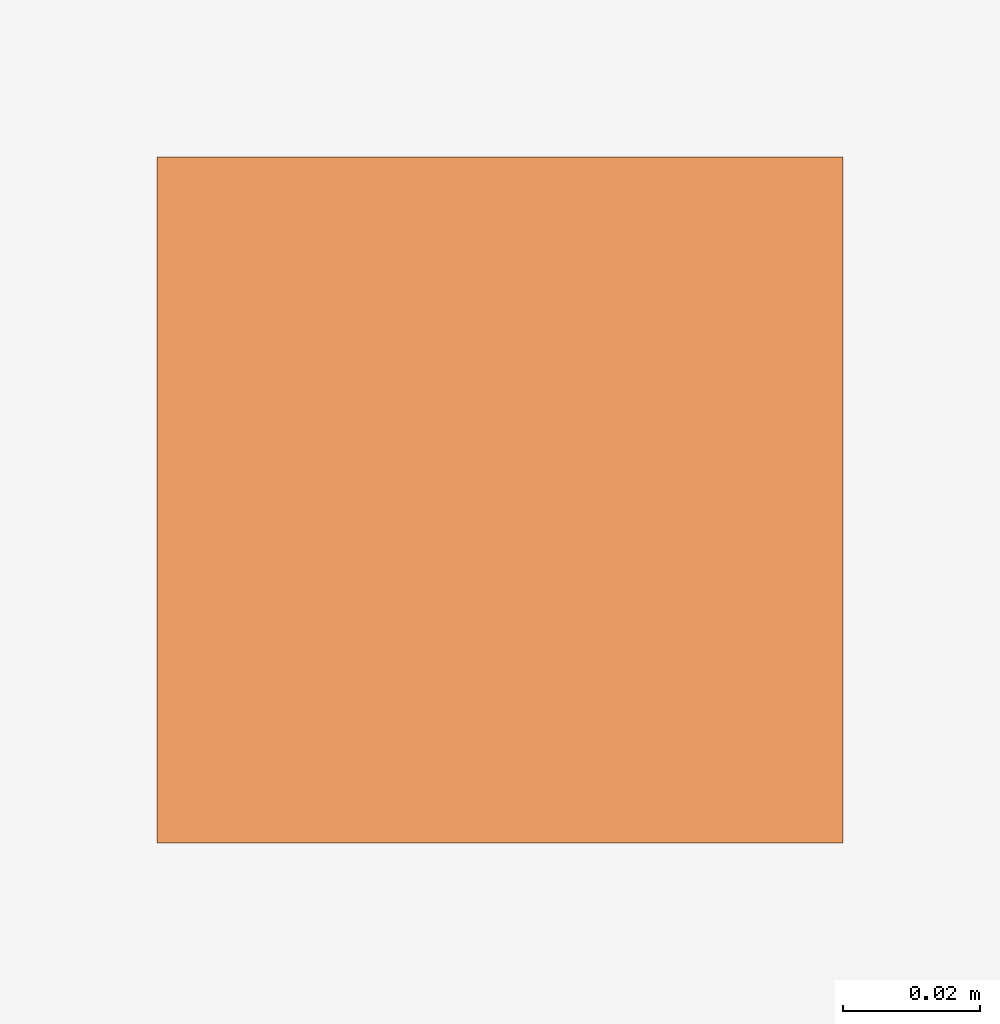
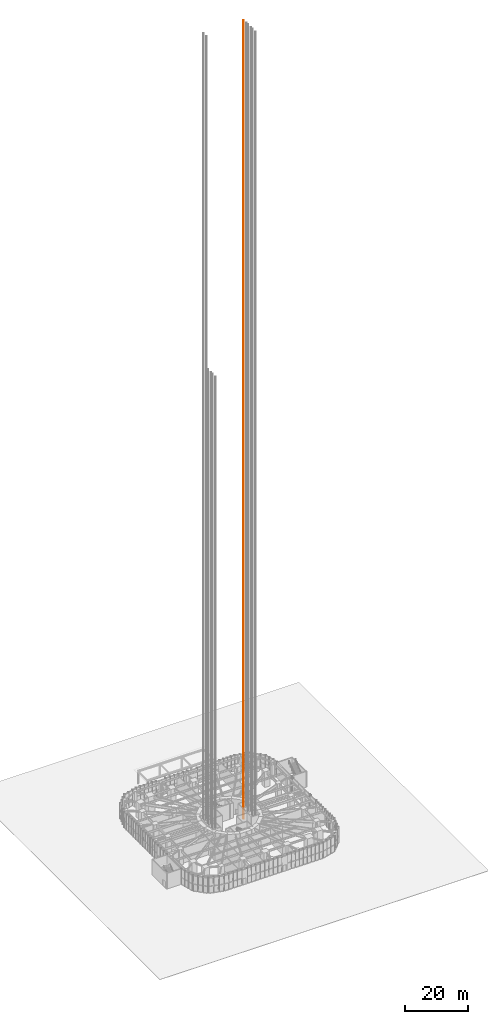
# One storey, part 43 of 43: 1 proxy.
"""IFC4 building model written with IfcOpenShell, lengths in metres."""

from ifc_helpers import new_model, si_unit, direction, frame, origin, origin_2d, place, context, subcontext, project, spatial, rectangle, extrude, material, type_object, element, save


model = new_model("IFC4")

# Units and contexts
model_context = context("Model", 3, precision=1e-05, world=origin(), true_north=direction((0.0, 1.0)))
body_context = subcontext(model_context, "Body", "Model", "MODEL_VIEW")
ifc_project = project(units=[si_unit("LENGTHUNIT", "METRE"), si_unit("AREAUNIT", "SQUARE_METRE"), si_unit("VOLUMEUNIT", "CUBIC_METRE"), si_unit("PLANEANGLEUNIT", "RADIAN"), si_unit("MASSUNIT", "GRAM", prefix="KILO")], contexts=[model_context])

# Site, building, storey
site_placement = place(None, origin())
site = spatial("IfcSite", under=ifc_project, at=site_placement, CompositionType="ELEMENT")
building_placement = place(site_placement, origin())
building = spatial("IfcBuilding", under=site, at=building_placement, Name="Nakasero Lantern House", CompositionType="ELEMENT")
storey_placement = place(building_placement, origin())
storey = spatial("IfcBuildingStorey", under=building, at=storey_placement, Name="L00", CompositionType="ELEMENT", Elevation=0.0)

# Proxy
ifc_material = material(Name="Steel S355", Category="steel")
building_element_proxy_type = type_object("IfcBuildingElementProxyType", Name="Lift guide rail", PredefinedType="ELEMENT", material=ifc_material)
proxy_placement = place(storey_placement, frame((7.300048828125, 3.699951171875, 0.0), z_axis=(0.0, 0.0, 1.0), x_axis=(1.0, 0.0, 0.0)))
element("IfcBuildingElementProxy", 1, at=proxy_placement, inside=storey, type_object=building_element_proxy_type, Name="Guide rail PLE3 2", PredefinedType="ELEMENT", context=body_context, shape_type="SweptSolid", body=[
    extrude(rectangle(XDim=0.10009765625, YDim=0.10009765625, at=origin_2d()), origin(), (0.0, 0.0, 1.0), 308.0),
])

save(model, "model.ifc")
